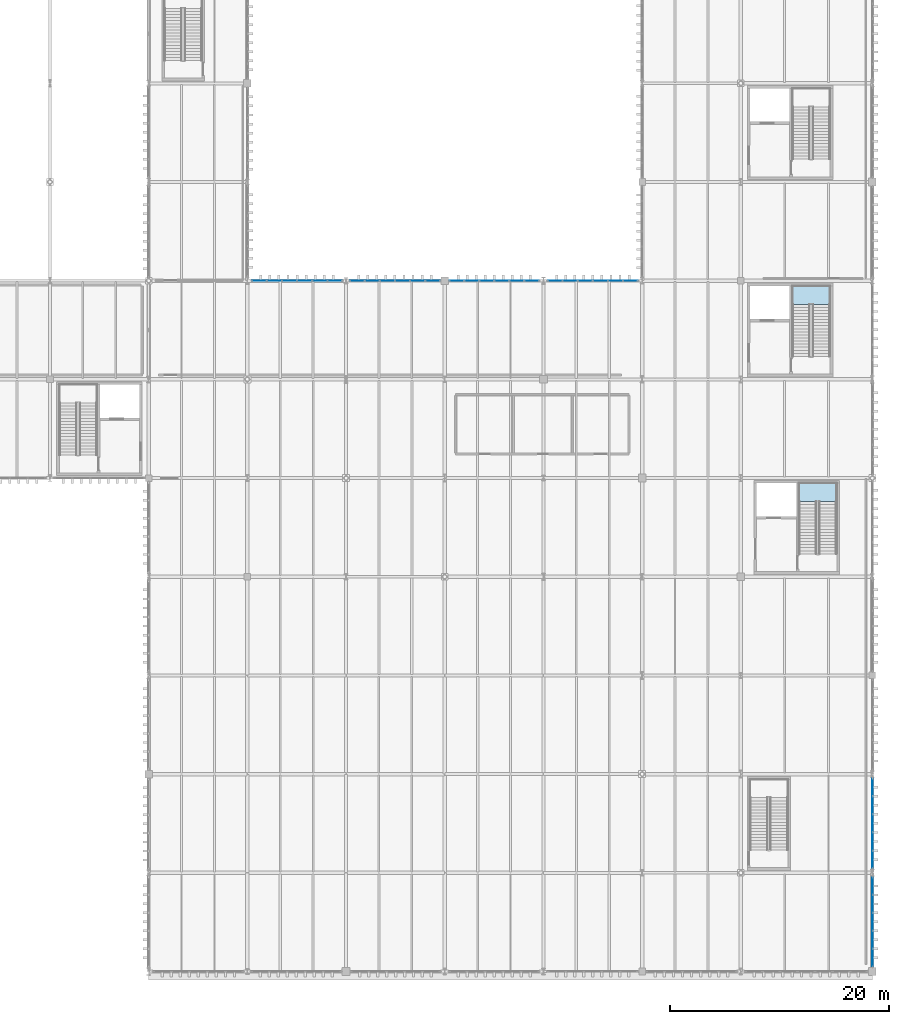
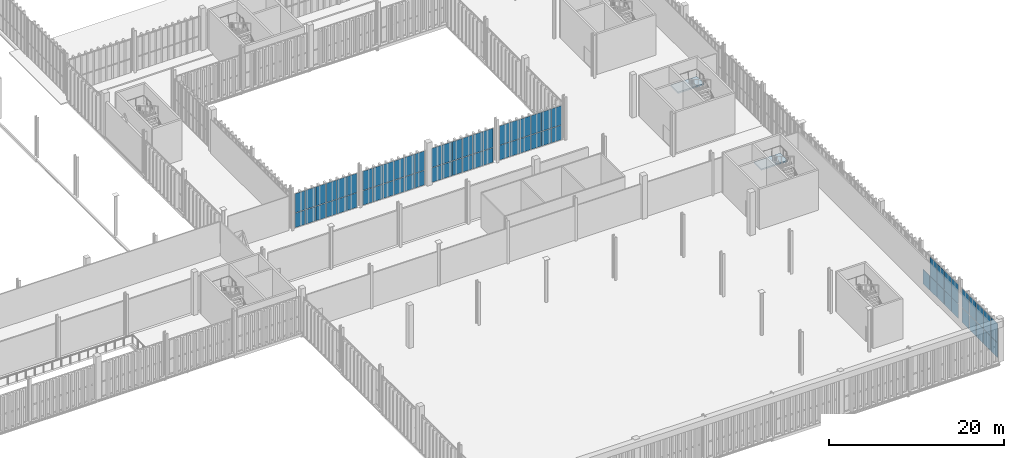
# One storey, part 190 of 237: 67 plates, 2 slabs, 8 elements without a shape of their own.
"""IFC4 building model written with IfcOpenShell, lengths in metres."""

from ifc_helpers import new_model, si_unit, direction, frame, origin, origin_2d, place, context, subcontext, project, spatial, polyline, rectangle, outline, extrude, material, layer, layer_set, type_object, element, aggregate, save


model = new_model("IFC4")

# Units and contexts
model_context = context("Model", 3, precision=1e-05, world=origin(), true_north=direction((0.0, 1.0)))
body_context = subcontext(model_context, "Body", "Model", "MODEL_VIEW")
ifc_project = project(units=[si_unit("LENGTHUNIT", "METRE"), si_unit("AREAUNIT", "SQUARE_METRE"), si_unit("VOLUMEUNIT", "CUBIC_METRE"), si_unit("PLANEANGLEUNIT", "RADIAN"), si_unit("MASSUNIT", "GRAM", prefix="KILO")], contexts=[model_context])

# Site, building, storey
site_placement = place(None, origin())
site = spatial("IfcSite", under=ifc_project, at=site_placement, CompositionType="ELEMENT")
building_placement = place(site_placement, origin())
building = spatial("IfcBuilding", under=site, at=building_placement, Name="Barlavento Convention Centre", CompositionType="ELEMENT")
storey_placement = place(building_placement, frame((0.0, 0.0, 12.0)))
storey = spatial("IfcBuildingStorey", under=building, at=storey_placement, Name="L02", CompositionType="ELEMENT", Elevation=12.0)

# Curtain wall, plates
ifc_material_1 = material(Name="Powder-coated aluminium and Low-E glass", Category="aluminium")
ifc_layer_1 = layer(ifc_material_1, 0.195068359375)
ifc_layer_set_1 = layer_set([ifc_layer_1], Name="ARC-CW-BALL-L02")
curtain_wall_type_1 = type_object("IfcCurtainWallType", Name="ARC-CW-BALL-L02", PredefinedType="NOTDEFINED", material=ifc_layer_set_1)
curtain_wall_1_placement = place(storey_placement, origin())
curtain_wall_1 = element("IfcCurtainWall", 1, at=curtain_wall_1_placement, inside=storey, type_object=curtain_wall_type_1, Name="L02 unitised curtain wall CW07", PredefinedType="NOTDEFINED")
ifc_material_2 = material(Name="Double-silver Low-E insulated glass", Category="glass")
ifc_layer_2 = layer(ifc_material_2, 0.028076171875)
ifc_layer_set_2 = layer_set([ifc_layer_2], Name="ARC-CWP-GLZ28")
plate_type = type_object("IfcPlateType", Name="ARC-CWP-GLZ28", PredefinedType="CURTAIN_PANEL", material=ifc_layer_set_2)
plate_1_placement = place(storey_placement, frame((192.0, 1.2548828125, 0.06005859375), z_axis=(0.0, 0.0, 1.0), x_axis=(0.0, 1.0, 0.0)))
plate_1 = element("IfcPlate", 2, at=plate_1_placement, type_object=plate_type, Name="CW07 panel 1.1", PredefinedType="CURTAIN_PANEL", context=body_context, shape_type="SweptSolid", body=[
    extrude(rectangle(XDim=1.550048828125, YDim=0.028076171875, at=origin_2d()), origin(), (0.0, 0.0, 1.0), 2.010009765625),
])
plate_2_placement = place(storey_placement, frame((192.0, 1.2548828125, 2.1298828125), z_axis=(0.0, 0.0, 1.0), x_axis=(0.0, 1.0, 0.0)))
plate_2 = element("IfcPlate", 3, at=plate_2_placement, type_object=plate_type, Name="CW07 panel 1.2", PredefinedType="CURTAIN_PANEL", context=body_context, shape_type="SweptSolid", body=[
    extrude(rectangle(XDim=1.550048828125, YDim=0.028076171875, at=origin_2d()), origin(), (0.0, 0.0, 1.0), 2.659912109375),
])
plate_3_placement = place(storey_placement, frame((192.0, 2.8798828125, 0.06005859375), z_axis=(0.0, 0.0, 1.0), x_axis=(0.0, 1.0, 0.0)))
plate_3 = element("IfcPlate", 4, at=plate_3_placement, type_object=plate_type, Name="CW07 panel 2.1", PredefinedType="CURTAIN_PANEL", context=body_context, shape_type="SweptSolid", body=[
    extrude(rectangle(XDim=1.580078125, YDim=0.028076171875, at=origin_2d()), origin(), (0.0, 0.0, 1.0), 2.010009765625),
])
plate_4_placement = place(storey_placement, frame((192.0, 2.8798828125, 2.1298828125), z_axis=(0.0, 0.0, 1.0), x_axis=(0.0, 1.0, 0.0)))
plate_4 = element("IfcPlate", 5, at=plate_4_placement, type_object=plate_type, Name="CW07 panel 2.2", PredefinedType="CURTAIN_PANEL", context=body_context, shape_type="SweptSolid", body=[
    extrude(rectangle(XDim=1.580078125, YDim=0.028076171875, at=origin_2d()), origin(), (0.0, 0.0, 1.0), 2.659912109375),
])
plate_5_placement = place(storey_placement, frame((192.0, 4.52001953125, 0.06005859375), z_axis=(0.0, 0.0, 1.0), x_axis=(0.0, 1.0, 0.0)))
plate_5 = element("IfcPlate", 6, at=plate_5_placement, type_object=plate_type, Name="CW07 panel 3.1", PredefinedType="CURTAIN_PANEL", context=body_context, shape_type="SweptSolid", body=[
    extrude(rectangle(XDim=1.580078125, YDim=0.028076171875, at=origin_2d()), origin(), (0.0, 0.0, 1.0), 2.010009765625),
])
plate_6_placement = place(storey_placement, frame((192.0, 4.52001953125, 2.1298828125), z_axis=(0.0, 0.0, 1.0), x_axis=(0.0, 1.0, 0.0)))
plate_6 = element("IfcPlate", 7, at=plate_6_placement, type_object=plate_type, Name="CW07 panel 3.2", PredefinedType="CURTAIN_PANEL", context=body_context, shape_type="SweptSolid", body=[
    extrude(rectangle(XDim=1.580078125, YDim=0.028076171875, at=origin_2d()), origin(), (0.0, 0.0, 1.0), 2.659912109375),
])
plate_7_placement = place(storey_placement, frame((192.0, 6.159912109375, 0.06005859375), z_axis=(0.0, 0.0, 1.0), x_axis=(0.0, 1.0, 0.0)))
plate_7 = element("IfcPlate", 8, at=plate_7_placement, type_object=plate_type, Name="CW07 panel 4.1", PredefinedType="CURTAIN_PANEL", context=body_context, shape_type="SweptSolid", body=[
    extrude(rectangle(XDim=1.580078125, YDim=0.028076171875, at=origin_2d()), origin(), (0.0, 0.0, 1.0), 2.010009765625),
])
plate_8_placement = place(storey_placement, frame((192.0, 6.159912109375, 2.1298828125), z_axis=(0.0, 0.0, 1.0), x_axis=(0.0, 1.0, 0.0)))
plate_8 = element("IfcPlate", 9, at=plate_8_placement, type_object=plate_type, Name="CW07 panel 4.2", PredefinedType="CURTAIN_PANEL", context=body_context, shape_type="SweptSolid", body=[
    extrude(rectangle(XDim=1.580078125, YDim=0.028076171875, at=origin_2d()), origin(), (0.0, 0.0, 1.0), 2.659912109375),
])
plate_9_placement = place(storey_placement, frame((192.0, 7.784912109375, 0.06005859375), z_axis=(0.0, 0.0, 1.0), x_axis=(0.0, 1.0, 0.0)))
plate_9 = element("IfcPlate", 10, at=plate_9_placement, type_object=plate_type, Name="CW07 panel 5.1", PredefinedType="CURTAIN_PANEL", context=body_context, shape_type="SweptSolid", body=[
    extrude(rectangle(XDim=1.550048828125, YDim=0.028076171875, at=origin_2d()), origin(), (0.0, 0.0, 1.0), 2.010009765625),
])
plate_10_placement = place(storey_placement, frame((192.0, 7.784912109375, 2.1298828125), z_axis=(0.0, 0.0, 1.0), x_axis=(0.0, 1.0, 0.0)))
plate_10 = element("IfcPlate", 11, at=plate_10_placement, type_object=plate_type, Name="CW07 panel 5.2", PredefinedType="CURTAIN_PANEL", context=body_context, shape_type="SweptSolid", body=[
    extrude(rectangle(XDim=1.550048828125, YDim=0.028076171875, at=origin_2d()), origin(), (0.0, 0.0, 1.0), 2.659912109375),
])
aggregate(curtain_wall_1, [plate_1, plate_2, plate_3, plate_4, plate_5, plate_6, plate_7, plate_8, plate_9, plate_10])

curtain_wall_2_placement = place(storey_placement, origin())
curtain_wall_2 = element("IfcCurtainWall", 12, at=curtain_wall_2_placement, inside=storey, type_object=curtain_wall_type_1, Name="L02 unitised curtain wall CW07", PredefinedType="NOTDEFINED")
plate_11_placement = place(storey_placement, frame((192.0, 10.219970703125, 0.06005859375), z_axis=(0.0, 0.0, 1.0), x_axis=(0.0, 1.0, 0.0)))
plate_11 = element("IfcPlate", 13, at=plate_11_placement, type_object=plate_type, Name="CW07 panel 1.1", PredefinedType="CURTAIN_PANEL", context=body_context, shape_type="SweptSolid", body=[
    extrude(rectangle(XDim=1.56005859375, YDim=0.028076171875, at=origin_2d()), origin(), (0.0, 0.0, 1.0), 2.010009765625),
])
plate_12_placement = place(storey_placement, frame((192.0, 10.219970703125, 2.1298828125), z_axis=(0.0, 0.0, 1.0), x_axis=(0.0, 1.0, 0.0)))
plate_12 = element("IfcPlate", 14, at=plate_12_placement, type_object=plate_type, Name="CW07 panel 1.2", PredefinedType="CURTAIN_PANEL", context=body_context, shape_type="SweptSolid", body=[
    extrude(rectangle(XDim=1.56005859375, YDim=0.028076171875, at=origin_2d()), origin(), (0.0, 0.0, 1.0), 2.659912109375),
])
plate_13_placement = place(storey_placement, frame((192.0, 11.85498046875, 0.06005859375), z_axis=(0.0, 0.0, 1.0), x_axis=(0.0, 1.0, 0.0)))
plate_13 = element("IfcPlate", 15, at=plate_13_placement, type_object=plate_type, Name="CW07 panel 2.1", PredefinedType="CURTAIN_PANEL", context=body_context, shape_type="SweptSolid", body=[
    extrude(rectangle(XDim=1.590087890625, YDim=0.028076171875, at=origin_2d()), origin(), (0.0, 0.0, 1.0), 2.010009765625),
])
plate_14_placement = place(storey_placement, frame((192.0, 11.85498046875, 2.1298828125), z_axis=(0.0, 0.0, 1.0), x_axis=(0.0, 1.0, 0.0)))
plate_14 = element("IfcPlate", 16, at=plate_14_placement, type_object=plate_type, Name="CW07 panel 2.2", PredefinedType="CURTAIN_PANEL", context=body_context, shape_type="SweptSolid", body=[
    extrude(rectangle(XDim=1.590087890625, YDim=0.028076171875, at=origin_2d()), origin(), (0.0, 0.0, 1.0), 2.659912109375),
])
plate_15_placement = place(storey_placement, frame((192.0, 13.5048828125, 0.06005859375), z_axis=(0.0, 0.0, 1.0), x_axis=(0.0, 1.0, 0.0)))
plate_15 = element("IfcPlate", 17, at=plate_15_placement, type_object=plate_type, Name="CW07 panel 3.1", PredefinedType="CURTAIN_PANEL", context=body_context, shape_type="SweptSolid", body=[
    extrude(rectangle(XDim=1.590087890625, YDim=0.028076171875, at=origin_2d()), origin(), (0.0, 0.0, 1.0), 2.010009765625),
])
plate_16_placement = place(storey_placement, frame((192.0, 13.5048828125, 2.1298828125), z_axis=(0.0, 0.0, 1.0), x_axis=(0.0, 1.0, 0.0)))
plate_16 = element("IfcPlate", 18, at=plate_16_placement, type_object=plate_type, Name="CW07 panel 3.2", PredefinedType="CURTAIN_PANEL", context=body_context, shape_type="SweptSolid", body=[
    extrude(rectangle(XDim=1.590087890625, YDim=0.028076171875, at=origin_2d()), origin(), (0.0, 0.0, 1.0), 2.659912109375),
])
plate_17_placement = place(storey_placement, frame((192.0, 15.155029296875, 0.06005859375), z_axis=(0.0, 0.0, 1.0), x_axis=(0.0, 1.0, 0.0)))
plate_17 = element("IfcPlate", 19, at=plate_17_placement, type_object=plate_type, Name="CW07 panel 4.1", PredefinedType="CURTAIN_PANEL", context=body_context, shape_type="SweptSolid", body=[
    extrude(rectangle(XDim=1.590087890625, YDim=0.028076171875, at=origin_2d()), origin(), (0.0, 0.0, 1.0), 2.010009765625),
])
plate_18_placement = place(storey_placement, frame((192.0, 15.155029296875, 2.1298828125), z_axis=(0.0, 0.0, 1.0), x_axis=(0.0, 1.0, 0.0)))
plate_18 = element("IfcPlate", 20, at=plate_18_placement, type_object=plate_type, Name="CW07 panel 4.2", PredefinedType="CURTAIN_PANEL", context=body_context, shape_type="SweptSolid", body=[
    extrude(rectangle(XDim=1.590087890625, YDim=0.028076171875, at=origin_2d()), origin(), (0.0, 0.0, 1.0), 2.659912109375),
])
plate_19_placement = place(storey_placement, frame((192.0, 16.7900390625, 0.06005859375), z_axis=(0.0, 0.0, 1.0), x_axis=(0.0, 1.0, 0.0)))
plate_19 = element("IfcPlate", 21, at=plate_19_placement, type_object=plate_type, Name="CW07 panel 5.1", PredefinedType="CURTAIN_PANEL", context=body_context, shape_type="SweptSolid", body=[
    extrude(rectangle(XDim=1.56005859375, YDim=0.028076171875, at=origin_2d()), origin(), (0.0, 0.0, 1.0), 2.010009765625),
])
aggregate(curtain_wall_2, [plate_11, plate_12, plate_13, plate_14, plate_15, plate_16, plate_17, plate_18, plate_19])

ifc_layer_3 = layer(ifc_material_1, 0.195068359375)
ifc_layer_set_3 = layer_set([ifc_layer_3], Name="ARC-CW-PATIO-A")
curtain_wall_type_2 = type_object("IfcCurtainWallType", Name="ARC-CW-PATIO-A", PredefinedType="NOTDEFINED", material=ifc_layer_set_3)
curtain_wall_3_placement = place(storey_placement, origin())
curtain_wall_3 = element("IfcCurtainWall", 22, at=curtain_wall_3_placement, inside=storey, type_object=curtain_wall_type_2, Name="L02 unitised curtain wall CW11", PredefinedType="NOTDEFINED")
plate_20_placement = place(storey_placement, frame((136.099365234375, 63.0, 0.06005859375), z_axis=(0.0, 0.0, 1.0), x_axis=(1.0, 0.0, 0.0)))
plate_20 = element("IfcPlate", 23, at=plate_20_placement, type_object=plate_type, Name="CW11 panel 1.1", PredefinedType="CURTAIN_PANEL", context=body_context, shape_type="SweptSolid", body=[
    extrude(rectangle(XDim=1.290771484375, YDim=0.028076171875, at=origin_2d()), origin(), (0.0, 0.0, 1.0), 2.010009765625),
])
plate_21_placement = place(storey_placement, frame((136.099365234375, 63.0, 2.1298828125), z_axis=(0.0, 0.0, 1.0), x_axis=(1.0, 0.0, 0.0)))
plate_21 = element("IfcPlate", 24, at=plate_21_placement, type_object=plate_type, Name="CW11 panel 1.2", PredefinedType="CURTAIN_PANEL", context=body_context, shape_type="SweptSolid", body=[
    extrude(rectangle(XDim=1.290771484375, YDim=0.028076171875, at=origin_2d()), origin(), (0.0, 0.0, 1.0), 2.659912109375),
])
plate_22_placement = place(storey_placement, frame((137.465087890625, 63.0, 0.06005859375), z_axis=(0.0, 0.0, 1.0), x_axis=(1.0, 0.0, 0.0)))
plate_22 = element("IfcPlate", 25, at=plate_22_placement, type_object=plate_type, Name="CW11 panel 2.1", PredefinedType="CURTAIN_PANEL", context=body_context, shape_type="SweptSolid", body=[
    extrude(rectangle(XDim=1.320556640625, YDim=0.028076171875, at=origin_2d()), origin(), (0.0, 0.0, 1.0), 2.010009765625),
])
plate_23_placement = place(storey_placement, frame((137.465087890625, 63.0, 2.1298828125), z_axis=(0.0, 0.0, 1.0), x_axis=(1.0, 0.0, 0.0)))
plate_23 = element("IfcPlate", 26, at=plate_23_placement, type_object=plate_type, Name="CW11 panel 2.2", PredefinedType="CURTAIN_PANEL", context=body_context, shape_type="SweptSolid", body=[
    extrude(rectangle(XDim=1.320556640625, YDim=0.028076171875, at=origin_2d()), origin(), (0.0, 0.0, 1.0), 2.659912109375),
])
plate_24_placement = place(storey_placement, frame((138.845703125, 63.0, 0.06005859375), z_axis=(0.0, 0.0, 1.0), x_axis=(1.0, 0.0, 0.0)))
plate_24 = element("IfcPlate", 27, at=plate_24_placement, type_object=plate_type, Name="CW11 panel 3.1", PredefinedType="CURTAIN_PANEL", context=body_context, shape_type="SweptSolid", body=[
    extrude(rectangle(XDim=1.320556640625, YDim=0.028076171875, at=origin_2d()), origin(), (0.0, 0.0, 1.0), 2.010009765625),
])
plate_25_placement = place(storey_placement, frame((138.845703125, 63.0, 2.1298828125), z_axis=(0.0, 0.0, 1.0), x_axis=(1.0, 0.0, 0.0)))
plate_25 = element("IfcPlate", 28, at=plate_25_placement, type_object=plate_type, Name="CW11 panel 3.2", PredefinedType="CURTAIN_PANEL", context=body_context, shape_type="SweptSolid", body=[
    extrude(rectangle(XDim=1.320556640625, YDim=0.028076171875, at=origin_2d()), origin(), (0.0, 0.0, 1.0), 2.659912109375),
])
plate_26_placement = place(storey_placement, frame((140.226318359375, 63.0, 0.06005859375), z_axis=(0.0, 0.0, 1.0), x_axis=(1.0, 0.0, 0.0)))
plate_26 = element("IfcPlate", 29, at=plate_26_placement, type_object=plate_type, Name="CW11 panel 4.1", PredefinedType="CURTAIN_PANEL", context=body_context, shape_type="SweptSolid", body=[
    extrude(rectangle(XDim=1.320556640625, YDim=0.028076171875, at=origin_2d()), origin(), (0.0, 0.0, 1.0), 2.010009765625),
])
plate_27_placement = place(storey_placement, frame((140.226318359375, 63.0, 2.1298828125), z_axis=(0.0, 0.0, 1.0), x_axis=(1.0, 0.0, 0.0)))
plate_27 = element("IfcPlate", 30, at=plate_27_placement, type_object=plate_type, Name="CW11 panel 4.2", PredefinedType="CURTAIN_PANEL", context=body_context, shape_type="SweptSolid", body=[
    extrude(rectangle(XDim=1.320556640625, YDim=0.028076171875, at=origin_2d()), origin(), (0.0, 0.0, 1.0), 2.659912109375),
])
plate_28_placement = place(storey_placement, frame((141.60693359375, 63.0, 0.06005859375), z_axis=(0.0, 0.0, 1.0), x_axis=(1.0, 0.0, 0.0)))
plate_28 = element("IfcPlate", 31, at=plate_28_placement, type_object=plate_type, Name="CW11 panel 5.1", PredefinedType="CURTAIN_PANEL", context=body_context, shape_type="SweptSolid", body=[
    extrude(rectangle(XDim=1.320556640625, YDim=0.028076171875, at=origin_2d()), origin(), (0.0, 0.0, 1.0), 2.010009765625),
])
plate_29_placement = place(storey_placement, frame((141.60693359375, 63.0, 2.1298828125), z_axis=(0.0, 0.0, 1.0), x_axis=(1.0, 0.0, 0.0)))
plate_29 = element("IfcPlate", 32, at=plate_29_placement, type_object=plate_type, Name="CW11 panel 5.2", PredefinedType="CURTAIN_PANEL", context=body_context, shape_type="SweptSolid", body=[
    extrude(rectangle(XDim=1.320556640625, YDim=0.028076171875, at=origin_2d()), origin(), (0.0, 0.0, 1.0), 2.659912109375),
])
plate_30_placement = place(storey_placement, frame((142.97265625, 63.0, 0.06005859375), z_axis=(0.0, 0.0, 1.0), x_axis=(1.0, 0.0, 0.0)))
plate_30 = element("IfcPlate", 33, at=plate_30_placement, type_object=plate_type, Name="CW11 panel 6.1", PredefinedType="CURTAIN_PANEL", context=body_context, shape_type="SweptSolid", body=[
    extrude(rectangle(XDim=1.290771484375, YDim=0.028076171875, at=origin_2d()), origin(), (0.0, 0.0, 1.0), 2.010009765625),
])
plate_31_placement = place(storey_placement, frame((142.97265625, 63.0, 2.1298828125), z_axis=(0.0, 0.0, 1.0), x_axis=(1.0, 0.0, 0.0)))
plate_31 = element("IfcPlate", 34, at=plate_31_placement, type_object=plate_type, Name="CW11 panel 6.2", PredefinedType="CURTAIN_PANEL", context=body_context, shape_type="SweptSolid", body=[
    extrude(rectangle(XDim=1.290771484375, YDim=0.028076171875, at=origin_2d()), origin(), (0.0, 0.0, 1.0), 2.659912109375),
])
aggregate(curtain_wall_3, [plate_20, plate_21, plate_22, plate_23, plate_24, plate_25, plate_26, plate_27, plate_28, plate_29, plate_30, plate_31])

curtain_wall_4_placement = place(storey_placement, origin())
curtain_wall_4 = element("IfcCurtainWall", 35, at=curtain_wall_4_placement, inside=storey, type_object=curtain_wall_type_2, Name="L02 unitised curtain wall CW11", PredefinedType="NOTDEFINED")
plate_32_placement = place(storey_placement, frame((145.02587890625, 63.0, 0.06005859375), z_axis=(0.0, 0.0, 1.0), x_axis=(1.0, 0.0, 0.0)))
plate_32 = element("IfcPlate", 36, at=plate_32_placement, type_object=plate_type, Name="CW11 panel 1.1", PredefinedType="CURTAIN_PANEL", context=body_context, shape_type="SweptSolid", body=[
    extrude(rectangle(XDim=1.2880859375, YDim=0.028076171875, at=origin_2d()), origin(), (0.0, 0.0, 1.0), 2.010009765625),
])
plate_33_placement = place(storey_placement, frame((145.02587890625, 63.0, 2.1298828125), z_axis=(0.0, 0.0, 1.0), x_axis=(1.0, 0.0, 0.0)))
plate_33 = element("IfcPlate", 37, at=plate_33_placement, type_object=plate_type, Name="CW11 panel 1.2", PredefinedType="CURTAIN_PANEL", context=body_context, shape_type="SweptSolid", body=[
    extrude(rectangle(XDim=1.2880859375, YDim=0.028076171875, at=origin_2d()), origin(), (0.0, 0.0, 1.0), 2.659912109375),
])
plate_34_placement = place(storey_placement, frame((146.388916015625, 63.0, 0.06005859375), z_axis=(0.0, 0.0, 1.0), x_axis=(1.0, 0.0, 0.0)))
plate_34 = element("IfcPlate", 38, at=plate_34_placement, type_object=plate_type, Name="CW11 panel 2.1", PredefinedType="CURTAIN_PANEL", context=body_context, shape_type="SweptSolid", body=[
    extrude(rectangle(XDim=1.318115234375, YDim=0.028076171875, at=origin_2d()), origin(), (0.0, 0.0, 1.0), 2.010009765625),
])
plate_35_placement = place(storey_placement, frame((146.388916015625, 63.0, 2.1298828125), z_axis=(0.0, 0.0, 1.0), x_axis=(1.0, 0.0, 0.0)))
plate_35 = element("IfcPlate", 39, at=plate_35_placement, type_object=plate_type, Name="CW11 panel 2.2", PredefinedType="CURTAIN_PANEL", context=body_context, shape_type="SweptSolid", body=[
    extrude(rectangle(XDim=1.318115234375, YDim=0.028076171875, at=origin_2d()), origin(), (0.0, 0.0, 1.0), 2.659912109375),
])
plate_36_placement = place(storey_placement, frame((147.76708984375, 63.0, 0.06005859375), z_axis=(0.0, 0.0, 1.0), x_axis=(1.0, 0.0, 0.0)))
plate_36 = element("IfcPlate", 40, at=plate_36_placement, type_object=plate_type, Name="CW11 panel 3.1", PredefinedType="CURTAIN_PANEL", context=body_context, shape_type="SweptSolid", body=[
    extrude(rectangle(XDim=1.318115234375, YDim=0.028076171875, at=origin_2d()), origin(), (0.0, 0.0, 1.0), 2.010009765625),
])
plate_37_placement = place(storey_placement, frame((147.76708984375, 63.0, 2.1298828125), z_axis=(0.0, 0.0, 1.0), x_axis=(1.0, 0.0, 0.0)))
plate_37 = element("IfcPlate", 41, at=plate_37_placement, type_object=plate_type, Name="CW11 panel 3.2", PredefinedType="CURTAIN_PANEL", context=body_context, shape_type="SweptSolid", body=[
    extrude(rectangle(XDim=1.318115234375, YDim=0.028076171875, at=origin_2d()), origin(), (0.0, 0.0, 1.0), 2.659912109375),
])
plate_38_placement = place(storey_placement, frame((149.14501953125, 63.0, 0.06005859375), z_axis=(0.0, 0.0, 1.0), x_axis=(1.0, 0.0, 0.0)))
plate_38 = element("IfcPlate", 42, at=plate_38_placement, type_object=plate_type, Name="CW11 panel 4.1", PredefinedType="CURTAIN_PANEL", context=body_context, shape_type="SweptSolid", body=[
    extrude(rectangle(XDim=1.318115234375, YDim=0.028076171875, at=origin_2d()), origin(), (0.0, 0.0, 1.0), 2.010009765625),
])
plate_39_placement = place(storey_placement, frame((149.14501953125, 63.0, 2.1298828125), z_axis=(0.0, 0.0, 1.0), x_axis=(1.0, 0.0, 0.0)))
plate_39 = element("IfcPlate", 43, at=plate_39_placement, type_object=plate_type, Name="CW11 panel 4.2", PredefinedType="CURTAIN_PANEL", context=body_context, shape_type="SweptSolid", body=[
    extrude(rectangle(XDim=1.318115234375, YDim=0.028076171875, at=origin_2d()), origin(), (0.0, 0.0, 1.0), 2.659912109375),
])
plate_40_placement = place(storey_placement, frame((150.52294921875, 63.0, 0.06005859375), z_axis=(0.0, 0.0, 1.0), x_axis=(1.0, 0.0, 0.0)))
plate_40 = element("IfcPlate", 44, at=plate_40_placement, type_object=plate_type, Name="CW11 panel 5.1", PredefinedType="CURTAIN_PANEL", context=body_context, shape_type="SweptSolid", body=[
    extrude(rectangle(XDim=1.318115234375, YDim=0.028076171875, at=origin_2d()), origin(), (0.0, 0.0, 1.0), 2.010009765625),
])
plate_41_placement = place(storey_placement, frame((150.52294921875, 63.0, 2.1298828125), z_axis=(0.0, 0.0, 1.0), x_axis=(1.0, 0.0, 0.0)))
plate_41 = element("IfcPlate", 45, at=plate_41_placement, type_object=plate_type, Name="CW11 panel 5.2", PredefinedType="CURTAIN_PANEL", context=body_context, shape_type="SweptSolid", body=[
    extrude(rectangle(XDim=1.318115234375, YDim=0.028076171875, at=origin_2d()), origin(), (0.0, 0.0, 1.0), 2.659912109375),
])
plate_42_placement = place(storey_placement, frame((151.885986328125, 63.0, 0.06005859375), z_axis=(0.0, 0.0, 1.0), x_axis=(1.0, 0.0, 0.0)))
plate_42 = element("IfcPlate", 46, at=plate_42_placement, type_object=plate_type, Name="CW11 panel 6.1", PredefinedType="CURTAIN_PANEL", context=body_context, shape_type="SweptSolid", body=[
    extrude(rectangle(XDim=1.2880859375, YDim=0.028076171875, at=origin_2d()), origin(), (0.0, 0.0, 1.0), 2.010009765625),
])
plate_43_placement = place(storey_placement, frame((151.885986328125, 63.0, 2.1298828125), z_axis=(0.0, 0.0, 1.0), x_axis=(1.0, 0.0, 0.0)))
plate_43 = element("IfcPlate", 47, at=plate_43_placement, type_object=plate_type, Name="CW11 panel 6.2", PredefinedType="CURTAIN_PANEL", context=body_context, shape_type="SweptSolid", body=[
    extrude(rectangle(XDim=1.2880859375, YDim=0.028076171875, at=origin_2d()), origin(), (0.0, 0.0, 1.0), 2.659912109375),
])
aggregate(curtain_wall_4, [plate_32, plate_33, plate_34, plate_35, plate_36, plate_37, plate_38, plate_39, plate_40, plate_41, plate_42, plate_43])

curtain_wall_5_placement = place(storey_placement, origin())
curtain_wall_5 = element("IfcCurtainWall", 48, at=curtain_wall_5_placement, inside=storey, type_object=curtain_wall_type_2, Name="L02 unitised curtain wall CW11", PredefinedType="NOTDEFINED")
plate_44_placement = place(storey_placement, frame((154.110107421875, 63.0, 0.06005859375), z_axis=(0.0, 0.0, 1.0), x_axis=(1.0, 0.0, 0.0)))
plate_44 = element("IfcPlate", 49, at=plate_44_placement, type_object=plate_type, Name="CW11 panel 1.1", PredefinedType="CURTAIN_PANEL", context=body_context, shape_type="SweptSolid", body=[
    extrude(rectangle(XDim=1.280029296875, YDim=0.028076171875, at=origin_2d()), origin(), (0.0, 0.0, 1.0), 2.010009765625),
])
plate_45_placement = place(storey_placement, frame((154.110107421875, 63.0, 2.1298828125), z_axis=(0.0, 0.0, 1.0), x_axis=(1.0, 0.0, 0.0)))
plate_45 = element("IfcPlate", 50, at=plate_45_placement, type_object=plate_type, Name="CW11 panel 1.2", PredefinedType="CURTAIN_PANEL", context=body_context, shape_type="SweptSolid", body=[
    extrude(rectangle(XDim=1.280029296875, YDim=0.028076171875, at=origin_2d()), origin(), (0.0, 0.0, 1.0), 2.659912109375),
])
plate_46_placement = place(storey_placement, frame((155.465087890625, 63.0, 0.06005859375), z_axis=(0.0, 0.0, 1.0), x_axis=(1.0, 0.0, 0.0)))
plate_46 = element("IfcPlate", 51, at=plate_46_placement, type_object=plate_type, Name="CW11 panel 2.1", PredefinedType="CURTAIN_PANEL", context=body_context, shape_type="SweptSolid", body=[
    extrude(rectangle(XDim=1.31005859375, YDim=0.028076171875, at=origin_2d()), origin(), (0.0, 0.0, 1.0), 2.010009765625),
])
plate_47_placement = place(storey_placement, frame((155.465087890625, 63.0, 2.1298828125), z_axis=(0.0, 0.0, 1.0), x_axis=(1.0, 0.0, 0.0)))
plate_47 = element("IfcPlate", 52, at=plate_47_placement, type_object=plate_type, Name="CW11 panel 2.2", PredefinedType="CURTAIN_PANEL", context=body_context, shape_type="SweptSolid", body=[
    extrude(rectangle(XDim=1.31005859375, YDim=0.028076171875, at=origin_2d()), origin(), (0.0, 0.0, 1.0), 2.659912109375),
])
plate_48_placement = place(storey_placement, frame((156.8349609375, 63.0, 0.06005859375), z_axis=(0.0, 0.0, 1.0), x_axis=(1.0, 0.0, 0.0)))
plate_48 = element("IfcPlate", 53, at=plate_48_placement, type_object=plate_type, Name="CW11 panel 3.1", PredefinedType="CURTAIN_PANEL", context=body_context, shape_type="SweptSolid", body=[
    extrude(rectangle(XDim=1.31005859375, YDim=0.028076171875, at=origin_2d()), origin(), (0.0, 0.0, 1.0), 2.010009765625),
])
plate_49_placement = place(storey_placement, frame((156.8349609375, 63.0, 2.1298828125), z_axis=(0.0, 0.0, 1.0), x_axis=(1.0, 0.0, 0.0)))
plate_49 = element("IfcPlate", 54, at=plate_49_placement, type_object=plate_type, Name="CW11 panel 3.2", PredefinedType="CURTAIN_PANEL", context=body_context, shape_type="SweptSolid", body=[
    extrude(rectangle(XDim=1.31005859375, YDim=0.028076171875, at=origin_2d()), origin(), (0.0, 0.0, 1.0), 2.659912109375),
])
plate_50_placement = place(storey_placement, frame((158.205078125, 63.0, 0.06005859375), z_axis=(0.0, 0.0, 1.0), x_axis=(1.0, 0.0, 0.0)))
plate_50 = element("IfcPlate", 55, at=plate_50_placement, type_object=plate_type, Name="CW11 panel 4.1", PredefinedType="CURTAIN_PANEL", context=body_context, shape_type="SweptSolid", body=[
    extrude(rectangle(XDim=1.31005859375, YDim=0.028076171875, at=origin_2d()), origin(), (0.0, 0.0, 1.0), 2.010009765625),
])
plate_51_placement = place(storey_placement, frame((158.205078125, 63.0, 2.1298828125), z_axis=(0.0, 0.0, 1.0), x_axis=(1.0, 0.0, 0.0)))
plate_51 = element("IfcPlate", 56, at=plate_51_placement, type_object=plate_type, Name="CW11 panel 4.2", PredefinedType="CURTAIN_PANEL", context=body_context, shape_type="SweptSolid", body=[
    extrude(rectangle(XDim=1.31005859375, YDim=0.028076171875, at=origin_2d()), origin(), (0.0, 0.0, 1.0), 2.659912109375),
])
plate_52_placement = place(storey_placement, frame((159.574951171875, 63.0, 0.06005859375), z_axis=(0.0, 0.0, 1.0), x_axis=(1.0, 0.0, 0.0)))
plate_52 = element("IfcPlate", 57, at=plate_52_placement, type_object=plate_type, Name="CW11 panel 5.1", PredefinedType="CURTAIN_PANEL", context=body_context, shape_type="SweptSolid", body=[
    extrude(rectangle(XDim=1.31005859375, YDim=0.028076171875, at=origin_2d()), origin(), (0.0, 0.0, 1.0), 2.010009765625),
])
plate_53_placement = place(storey_placement, frame((159.574951171875, 63.0, 2.1298828125), z_axis=(0.0, 0.0, 1.0), x_axis=(1.0, 0.0, 0.0)))
plate_53 = element("IfcPlate", 58, at=plate_53_placement, type_object=plate_type, Name="CW11 panel 5.2", PredefinedType="CURTAIN_PANEL", context=body_context, shape_type="SweptSolid", body=[
    extrude(rectangle(XDim=1.31005859375, YDim=0.028076171875, at=origin_2d()), origin(), (0.0, 0.0, 1.0), 2.659912109375),
])
plate_54_placement = place(storey_placement, frame((160.929931640625, 63.0, 0.06005859375), z_axis=(0.0, 0.0, 1.0), x_axis=(1.0, 0.0, 0.0)))
plate_54 = element("IfcPlate", 59, at=plate_54_placement, type_object=plate_type, Name="CW11 panel 6.1", PredefinedType="CURTAIN_PANEL", context=body_context, shape_type="SweptSolid", body=[
    extrude(rectangle(XDim=1.280029296875, YDim=0.028076171875, at=origin_2d()), origin(), (0.0, 0.0, 1.0), 2.010009765625),
])
plate_55_placement = place(storey_placement, frame((160.929931640625, 63.0, 2.1298828125), z_axis=(0.0, 0.0, 1.0), x_axis=(1.0, 0.0, 0.0)))
plate_55 = element("IfcPlate", 60, at=plate_55_placement, type_object=plate_type, Name="CW11 panel 6.2", PredefinedType="CURTAIN_PANEL", context=body_context, shape_type="SweptSolid", body=[
    extrude(rectangle(XDim=1.280029296875, YDim=0.028076171875, at=origin_2d()), origin(), (0.0, 0.0, 1.0), 2.659912109375),
])
aggregate(curtain_wall_5, [plate_44, plate_45, plate_46, plate_47, plate_48, plate_49, plate_50, plate_51, plate_52, plate_53, plate_54, plate_55])

curtain_wall_6_placement = place(storey_placement, origin())
curtain_wall_6 = element("IfcCurtainWall", 61, at=curtain_wall_6_placement, inside=storey, type_object=curtain_wall_type_2, Name="L02 unitised curtain wall CW11", PredefinedType="NOTDEFINED")
plate_56_placement = place(storey_placement, frame((163.07421875, 63.0, 0.06005859375), z_axis=(0.0, 0.0, 1.0), x_axis=(1.0, 0.0, 0.0)))
plate_56 = element("IfcPlate", 62, at=plate_56_placement, type_object=plate_type, Name="CW11 panel 1.1", PredefinedType="CURTAIN_PANEL", context=body_context, shape_type="SweptSolid", body=[
    extrude(rectangle(XDim=1.288330078125, YDim=0.028076171875, at=origin_2d()), origin(), (0.0, 0.0, 1.0), 2.010009765625),
])
plate_57_placement = place(storey_placement, frame((163.07421875, 63.0, 2.1298828125), z_axis=(0.0, 0.0, 1.0), x_axis=(1.0, 0.0, 0.0)))
plate_57 = element("IfcPlate", 63, at=plate_57_placement, type_object=plate_type, Name="CW11 panel 1.2", PredefinedType="CURTAIN_PANEL", context=body_context, shape_type="SweptSolid", body=[
    extrude(rectangle(XDim=1.288330078125, YDim=0.028076171875, at=origin_2d()), origin(), (0.0, 0.0, 1.0), 2.659912109375),
])
plate_58_placement = place(storey_placement, frame((164.4375, 63.0, 0.06005859375), z_axis=(0.0, 0.0, 1.0), x_axis=(1.0, 0.0, 0.0)))
plate_58 = element("IfcPlate", 64, at=plate_58_placement, type_object=plate_type, Name="CW11 panel 2.1", PredefinedType="CURTAIN_PANEL", context=body_context, shape_type="SweptSolid", body=[
    extrude(rectangle(XDim=1.318359375, YDim=0.028076171875, at=origin_2d()), origin(), (0.0, 0.0, 1.0), 2.010009765625),
])
plate_59_placement = place(storey_placement, frame((164.4375, 63.0, 2.1298828125), z_axis=(0.0, 0.0, 1.0), x_axis=(1.0, 0.0, 0.0)))
plate_59 = element("IfcPlate", 65, at=plate_59_placement, type_object=plate_type, Name="CW11 panel 2.2", PredefinedType="CURTAIN_PANEL", context=body_context, shape_type="SweptSolid", body=[
    extrude(rectangle(XDim=1.318359375, YDim=0.028076171875, at=origin_2d()), origin(), (0.0, 0.0, 1.0), 2.659912109375),
])
plate_60_placement = place(storey_placement, frame((165.81591796875, 63.0, 0.06005859375), z_axis=(0.0, 0.0, 1.0), x_axis=(1.0, 0.0, 0.0)))
plate_60 = element("IfcPlate", 66, at=plate_60_placement, type_object=plate_type, Name="CW11 panel 3.1", PredefinedType="CURTAIN_PANEL", context=body_context, shape_type="SweptSolid", body=[
    extrude(rectangle(XDim=1.318359375, YDim=0.028076171875, at=origin_2d()), origin(), (0.0, 0.0, 1.0), 2.010009765625),
])
plate_61_placement = place(storey_placement, frame((165.81591796875, 63.0, 2.1298828125), z_axis=(0.0, 0.0, 1.0), x_axis=(1.0, 0.0, 0.0)))
plate_61 = element("IfcPlate", 67, at=plate_61_placement, type_object=plate_type, Name="CW11 panel 3.2", PredefinedType="CURTAIN_PANEL", context=body_context, shape_type="SweptSolid", body=[
    extrude(rectangle(XDim=1.318359375, YDim=0.028076171875, at=origin_2d()), origin(), (0.0, 0.0, 1.0), 2.659912109375),
])
plate_62_placement = place(storey_placement, frame((167.194091796875, 63.0, 0.06005859375), z_axis=(0.0, 0.0, 1.0), x_axis=(1.0, 0.0, 0.0)))
plate_62 = element("IfcPlate", 68, at=plate_62_placement, type_object=plate_type, Name="CW11 panel 4.1", PredefinedType="CURTAIN_PANEL", context=body_context, shape_type="SweptSolid", body=[
    extrude(rectangle(XDim=1.318359375, YDim=0.028076171875, at=origin_2d()), origin(), (0.0, 0.0, 1.0), 2.010009765625),
])
plate_63_placement = place(storey_placement, frame((167.194091796875, 63.0, 2.1298828125), z_axis=(0.0, 0.0, 1.0), x_axis=(1.0, 0.0, 0.0)))
plate_63 = element("IfcPlate", 69, at=plate_63_placement, type_object=plate_type, Name="CW11 panel 4.2", PredefinedType="CURTAIN_PANEL", context=body_context, shape_type="SweptSolid", body=[
    extrude(rectangle(XDim=1.318359375, YDim=0.028076171875, at=origin_2d()), origin(), (0.0, 0.0, 1.0), 2.659912109375),
])
plate_64_placement = place(storey_placement, frame((168.572509765625, 63.0, 0.06005859375), z_axis=(0.0, 0.0, 1.0), x_axis=(1.0, 0.0, 0.0)))
plate_64 = element("IfcPlate", 70, at=plate_64_placement, type_object=plate_type, Name="CW11 panel 5.1", PredefinedType="CURTAIN_PANEL", context=body_context, shape_type="SweptSolid", body=[
    extrude(rectangle(XDim=1.318359375, YDim=0.028076171875, at=origin_2d()), origin(), (0.0, 0.0, 1.0), 2.010009765625),
])
plate_65_placement = place(storey_placement, frame((168.572509765625, 63.0, 2.1298828125), z_axis=(0.0, 0.0, 1.0), x_axis=(1.0, 0.0, 0.0)))
plate_65 = element("IfcPlate", 71, at=plate_65_placement, type_object=plate_type, Name="CW11 panel 5.2", PredefinedType="CURTAIN_PANEL", context=body_context, shape_type="SweptSolid", body=[
    extrude(rectangle(XDim=1.318359375, YDim=0.028076171875, at=origin_2d()), origin(), (0.0, 0.0, 1.0), 2.659912109375),
])
plate_66_placement = place(storey_placement, frame((169.935791015625, 63.0, 0.06005859375), z_axis=(0.0, 0.0, 1.0), x_axis=(1.0, 0.0, 0.0)))
plate_66 = element("IfcPlate", 72, at=plate_66_placement, type_object=plate_type, Name="CW11 panel 6.1", PredefinedType="CURTAIN_PANEL", context=body_context, shape_type="SweptSolid", body=[
    extrude(rectangle(XDim=1.288330078125, YDim=0.028076171875, at=origin_2d()), origin(), (0.0, 0.0, 1.0), 2.010009765625),
])
plate_67_placement = place(storey_placement, frame((169.935791015625, 63.0, 2.1298828125), z_axis=(0.0, 0.0, 1.0), x_axis=(1.0, 0.0, 0.0)))
plate_67 = element("IfcPlate", 73, at=plate_67_placement, type_object=plate_type, Name="CW11 panel 6.2", PredefinedType="CURTAIN_PANEL", context=body_context, shape_type="SweptSolid", body=[
    extrude(rectangle(XDim=1.288330078125, YDim=0.028076171875, at=origin_2d()), origin(), (0.0, 0.0, 1.0), 2.659912109375),
])
aggregate(curtain_wall_6, [plate_56, plate_57, plate_58, plate_59, plate_60, plate_61, plate_62, plate_63, plate_64, plate_65, plate_66, plate_67])

# Stair, slab
ifc_material_3 = material(Name="Concrete C40/50", Category="concrete")
stair_type = type_object("IfcStairType", Name="ARC-STR-DOG-1620", PredefinedType="HALF_TURN_STAIR", material=ifc_material_3)
stair_1_placement = place(storey_placement, origin())
stair_1 = element("IfcStair", 74, at=stair_1_placement, inside=storey, type_object=stair_type, Name="L02 ST05", PredefinedType="HALF_TURN_STAIR")
ifc_layer_4 = layer(ifc_material_3, 0.199951171875)
ifc_layer_set_4 = layer_set([ifc_layer_4], Name="ARC-SLB-LND-200")
slab_type = type_object("IfcSlabType", Name="ARC-SLB-LND-200", PredefinedType="LANDING", material=ifc_layer_set_4)
slab_1_placement = place(storey_placement, frame((0.0, 0.0, 2.800048828125)))
slab_1 = element("IfcSlab", 75, at=slab_1_placement, type_object=slab_type, Name="ST05 landing 1", PredefinedType="LANDING", context=body_context, shape_type="SweptSolid", body=[
    extrude(outline(polyline([(188.14990234375, 60.85009765625), (188.14990234375, 62.530029296875), (184.7099609375, 62.530029296875), (184.7099609375, 60.85009765625), (188.14990234375, 60.85009765625)])), origin(), (0.0, 0.0, 1.0), 0.199951171875),
])
aggregate(stair_1, [slab_1])

stair_2_placement = place(storey_placement, origin())
stair_2 = element("IfcStair", 76, at=stair_2_placement, inside=storey, type_object=stair_type, Name="L02 ST06", PredefinedType="HALF_TURN_STAIR")
slab_2_placement = place(storey_placement, frame((0.0, 0.0, 2.800048828125)))
slab_2 = element("IfcSlab", 77, at=slab_2_placement, type_object=slab_type, Name="ST06 landing 1", PredefinedType="LANDING", context=body_context, shape_type="SweptSolid", body=[
    extrude(outline(polyline([(188.75, 42.85009765625), (188.75, 44.530029296875), (185.31005859375, 44.530029296875), (185.31005859375, 42.85009765625), (188.75, 42.85009765625)])), origin(), (0.0, 0.0, 1.0), 0.199951171875),
])
aggregate(stair_2, [slab_2])

save(model, "model.ifc")
